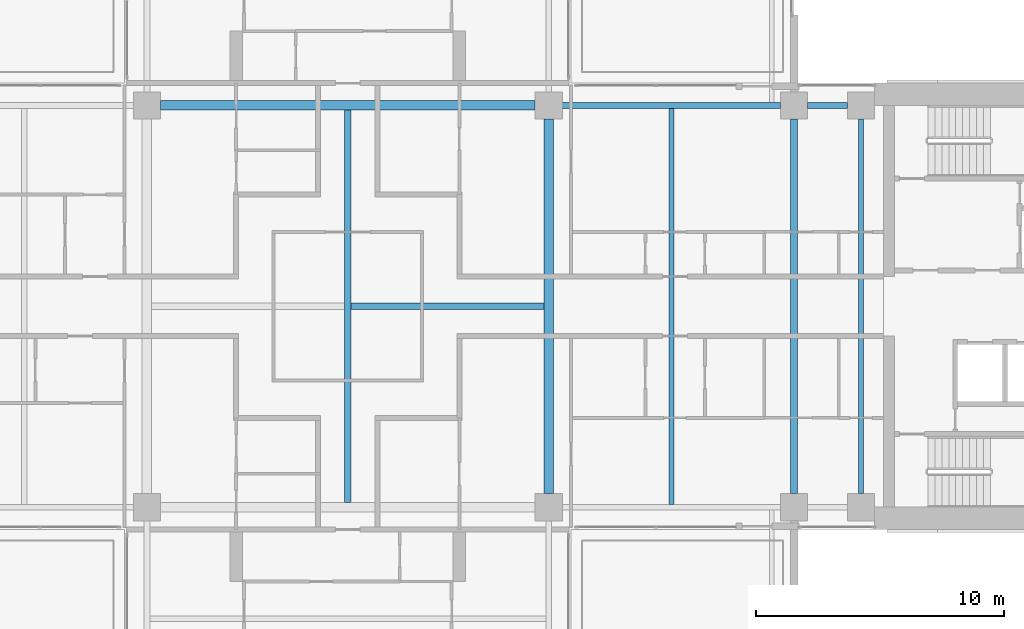
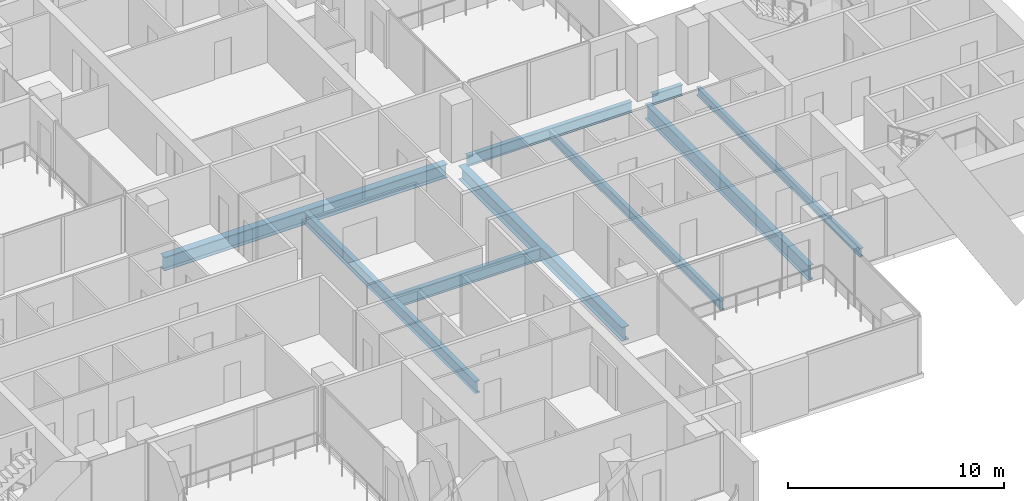
# One storey, part 4 of 19: 9 beams.
"""IFC4 building model written with IfcOpenShell, lengths in metres."""

from ifc_helpers import new_model, si_unit, direction, frame, origin, origin_2d, place, context, subcontext, project, spatial, i_section, extrude, material, material_profile, profile_set, type_object, element, save


model = new_model("IFC4")

# Units and contexts
model_context = context("Model", 3, precision=1e-05, world=origin(), true_north=direction((0.0, 1.0)))
body_context = subcontext(model_context, "Body", "Model", "MODEL_VIEW")
ifc_project = project(units=[si_unit("LENGTHUNIT", "METRE"), si_unit("AREAUNIT", "SQUARE_METRE"), si_unit("VOLUMEUNIT", "CUBIC_METRE"), si_unit("PLANEANGLEUNIT", "RADIAN"), si_unit("MASSUNIT", "GRAM", prefix="KILO")], contexts=[model_context])

# Site, building, storey
site_placement = place(None, origin())
site = spatial("IfcSite", under=ifc_project, at=site_placement, CompositionType="ELEMENT")
building_placement = place(site_placement, origin())
building = spatial("IfcBuilding", under=site, at=building_placement, Name="Perihelion Cross Residences", CompositionType="ELEMENT")
storey_placement = place(building_placement, frame((0.0, 0.0, 137.39990234375)))
storey = spatial("IfcBuildingStorey", under=building, at=storey_placement, Name="L33", CompositionType="ELEMENT", Elevation=137.39990234375)

# Beams
ifc_material_1 = material(Name="Steel S355", Category="steel")
ifc_material_profile_1 = material_profile(ifc_material_1, i_section(OverallWidth=0.194091796875, OverallDepth=0.469970703125, WebThickness=0.0126953125, FlangeThickness=0.0205078125, at=origin_2d()), Name="W460x106")
ifc_profile_set_1 = profile_set([ifc_material_profile_1], Name="Steel S355")
beam_type_1 = type_object("IfcBeamType", Name="Core edge beam W460x106", PredefinedType="BEAM", material=ifc_profile_set_1)
beam_1_placement = place(storey_placement, frame((20.699951171875, -7.550048828125, -0.48486328125), z_axis=(0.0, 1.0, 0.0), x_axis=(-1.0, 0.0, 0.0)))
element("IfcBeam", 1, at=beam_1_placement, inside=storey, type_object=beam_type_1, Name="Core edge beam TB5 L33 no. 2", PredefinedType="BEAM", context=body_context, shape_type="SweptSolid", body=[
    extrude(i_section(OverallWidth=0.194091796875, OverallDepth=0.469970703125, WebThickness=0.0126953125, FlangeThickness=0.0205078125, at=origin_2d()), origin(), (0.0, 0.0, 1.0), 15.10009765625),
])
ifc_material_2 = material(Name="Steel S355", Category="steel")
ifc_material_profile_2 = material_profile(ifc_material_2, i_section(OverallWidth=0.22900390625, OverallDepth=0.612060546875, WebThickness=0.011962890625, FlangeThickness=0.01953125, at=origin_2d()), Name="W610x125")
ifc_profile_set_2 = profile_set([ifc_material_profile_2], Name="Steel S355")
beam_type_2 = type_object("IfcBeamType", Name="Edge beam W610x125", PredefinedType="SPANDREL", material=ifc_profile_set_2)
beam_2_placement = place(storey_placement, frame((20.14990234375, 8.10009765625, -0.555908203125), z_axis=(-1.0, 0.0, 0.0), x_axis=(0.0, -1.0, 0.0)))
element("IfcBeam", 2, at=beam_2_placement, inside=storey, type_object=beam_type_2, Name="Edge beam SB3 L33 no. 13", PredefinedType="SPANDREL", context=body_context, shape_type="SweptSolid", body=[
    extrude(i_section(OverallWidth=0.22900390625, OverallDepth=0.612060546875, WebThickness=0.011962890625, FlangeThickness=0.01953125, at=origin_2d()), origin(), (0.0, 0.0, 1.0), 1.599853515625),
])
beam_3_placement = place(storey_placement, frame((17.449951171875, 8.10009765625, -0.555908203125), z_axis=(-1.0, 0.0, 0.0), x_axis=(0.0, -1.0, 0.0)))
element("IfcBeam", 3, at=beam_3_placement, inside=storey, type_object=beam_type_2, Name="Edge beam SB3 L33 no. 12", PredefinedType="SPANDREL", context=body_context, shape_type="SweptSolid", body=[
    extrude(i_section(OverallWidth=0.22900390625, OverallDepth=0.612060546875, WebThickness=0.011962890625, FlangeThickness=0.01953125, at=origin_2d()), origin(), (0.0, 0.0, 1.0), 8.800048828125),
])
ifc_material_3 = material(Name="Steel S355", Category="steel")
ifc_material_profile_3 = material_profile(ifc_material_3, i_section(OverallWidth=0.2919921875, OverallDepth=0.8359375, WebThickness=0.013916015625, FlangeThickness=0.018798828125, at=origin_2d()), Name="W840x176")
ifc_profile_set_3 = profile_set([ifc_material_profile_3], Name="Steel S355")
beam_type_3 = type_object("IfcBeamType", Name="Floor girder W840x176", PredefinedType="BEAM", material=ifc_profile_set_3)
beam_4_placement = place(storey_placement, frame((18.0, -7.550048828125, -0.66796875), z_axis=(0.0, 1.0, 0.0), x_axis=(-1.0, 0.0, 0.0)))
element("IfcBeam", 4, at=beam_4_placement, inside=storey, type_object=beam_type_3, Name="Girder G3 L33 no. 2", PredefinedType="BEAM", context=body_context, shape_type="SweptSolid", body=[
    extrude(i_section(OverallWidth=0.2919921875, OverallDepth=0.8359375, WebThickness=0.013916015625, FlangeThickness=0.018798828125, at=origin_2d()), origin(), (0.0, 0.0, 1.0), 15.10009765625),
])
ifc_material_4 = material(Name="Steel S355", Category="steel")
ifc_material_profile_4 = material_profile(ifc_material_4, i_section(OverallWidth=0.208984375, OverallDepth=0.532958984375, WebThickness=0.01025390625, FlangeThickness=0.015625, at=origin_2d()), Name="W530x92")
ifc_profile_set_4 = profile_set([ifc_material_profile_4], Name="Steel S355")
beam_type_4 = type_object("IfcBeamType", Name="Floor joist W530x92", PredefinedType="JOIST", material=ifc_profile_set_4)
beam_5_placement = place(storey_placement, frame((13.050048828125, -7.985595703125, -0.516357421875), z_axis=(0.0, 1.0, 0.0), x_axis=(-1.0, 0.0, 0.0)))
element("IfcBeam", 5, at=beam_5_placement, inside=storey, type_object=beam_type_4, Name="Joist J4 L33 no. 2", PredefinedType="JOIST", context=body_context, shape_type="SweptSolid", body=[
    extrude(i_section(OverallWidth=0.208984375, OverallDepth=0.532958984375, WebThickness=0.01025390625, FlangeThickness=0.015625, at=origin_2d()), origin(), (0.0, 0.0, 1.0), 15.97119140625),
])
ifc_material_5 = material(Name="Steel S355", Category="steel")
ifc_material_profile_5 = material_profile(ifc_material_5, i_section(OverallWidth=0.257080078125, OverallDepth=0.693115234375, WebThickness=0.014404296875, FlangeThickness=0.023681640625, at=origin_2d()), Name="W690x170")
ifc_profile_set_5 = profile_set([ifc_material_profile_5], Name="Steel S355")
beam_type_5 = type_object("IfcBeamType", Name="Hub cross beam W690x170", PredefinedType="BEAM", material=ifc_profile_set_5)
beam_6_placement = place(storey_placement, frame((0.0, -7.909423828125, -0.596435546875), z_axis=(0.0, 1.0, 0.0), x_axis=(-1.0, 0.0, 0.0)))
element("IfcBeam", 6, at=beam_6_placement, inside=storey, type_object=beam_type_5, Name="Hub cross beam XB3 L33 no. 1", PredefinedType="BEAM", context=body_context, shape_type="SweptSolid", body=[
    extrude(i_section(OverallWidth=0.257080078125, OverallDepth=0.693115234375, WebThickness=0.014404296875, FlangeThickness=0.023681640625, at=origin_2d()), origin(), (0.0, 0.0, 1.0), 15.81884765625),
])
beam_7_placement = place(storey_placement, frame((0.12841796875, 0.0, -0.596435546875), z_axis=(1.0, 0.0, 0.0), x_axis=(0.0, 1.0, 0.0)))
element("IfcBeam", 7, at=beam_7_placement, inside=storey, type_object=beam_type_5, Name="Hub cross beam XB3 L33 2 no. 1", PredefinedType="BEAM", context=body_context, shape_type="SweptSolid", body=[
    extrude(i_section(OverallWidth=0.257080078125, OverallDepth=0.693115234375, WebThickness=0.014404296875, FlangeThickness=0.023681640625, at=origin_2d()), origin(), (0.0, 0.0, 1.0), 7.781005859375),
])
ifc_material_6 = material(Name="Steel S355", Category="steel")
ifc_material_profile_6 = material_profile(ifc_material_6, i_section(OverallWidth=0.381103515625, OverallDepth=0.77197265625, WebThickness=0.0166015625, FlangeThickness=0.027099609375, at=origin_2d()), Name="W760x257")
ifc_profile_set_6 = profile_set([ifc_material_profile_6], Name="Steel S355")
beam_type_6 = type_object("IfcBeamType", Name="Hub ring girder W760x257", PredefinedType="BEAM", material=ifc_profile_set_6)
for number, where, z_axis, x_axis, name in (
    (8, (8.10009765625, -7.550048828125, -0.635986328125), (0.0, 1.0, 0.0), (-1.0, 0.0, 0.0), "Hub ring girder RG3 L33 no. 3"),
    (9, (7.550048828125, 8.10009765625, -0.635986328125), (-1.0, 0.0, 0.0), (0.0, -1.0, 0.0), "Hub ring girder RG3 L33 no. 4"),
):
    element("IfcBeam", number, at=place(storey_placement, frame(where, z_axis=z_axis, x_axis=x_axis)), inside=storey, type_object=beam_type_6, Name=name, PredefinedType="BEAM", context=body_context, shape_type="SweptSolid", body=[
        extrude(i_section(OverallWidth=0.381103515625, OverallDepth=0.77197265625, WebThickness=0.0166015625, FlangeThickness=0.027099609375, at=origin_2d()), origin(), (0.0, 0.0, 1.0), 15.10009765625),
    ])

save(model, "model.ifc")
